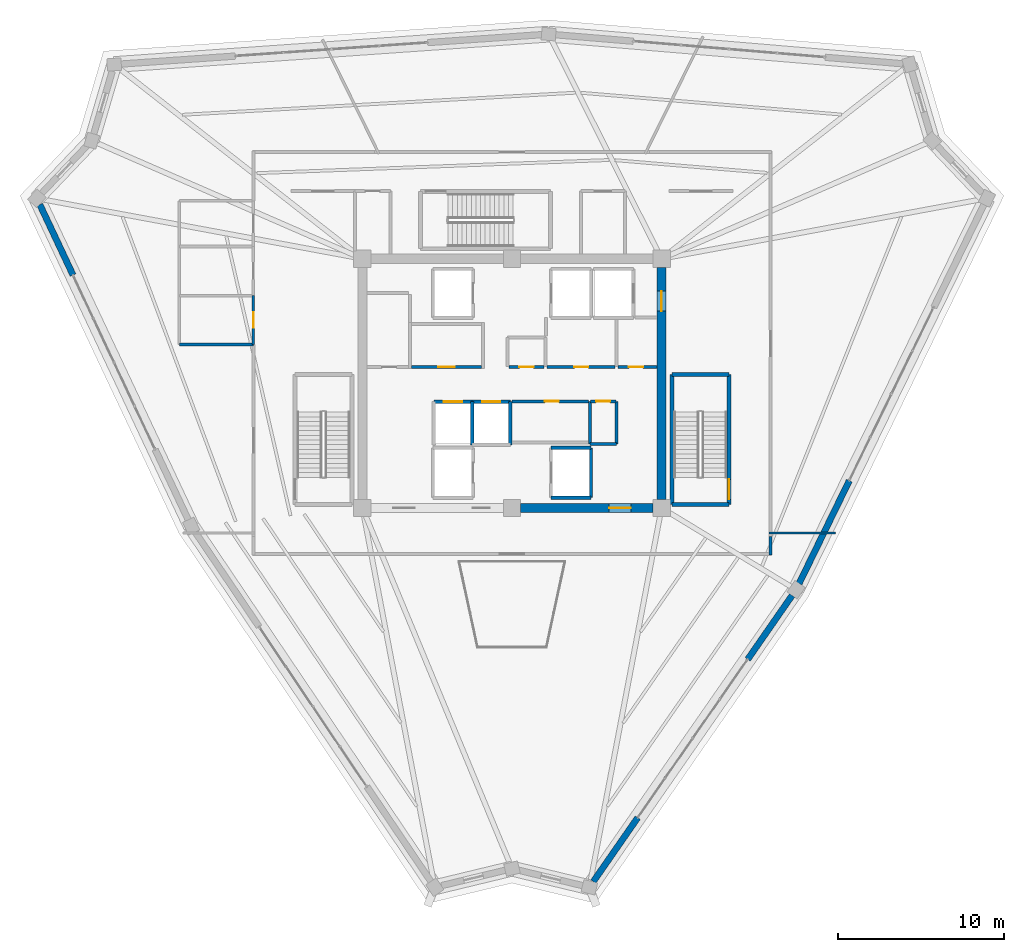
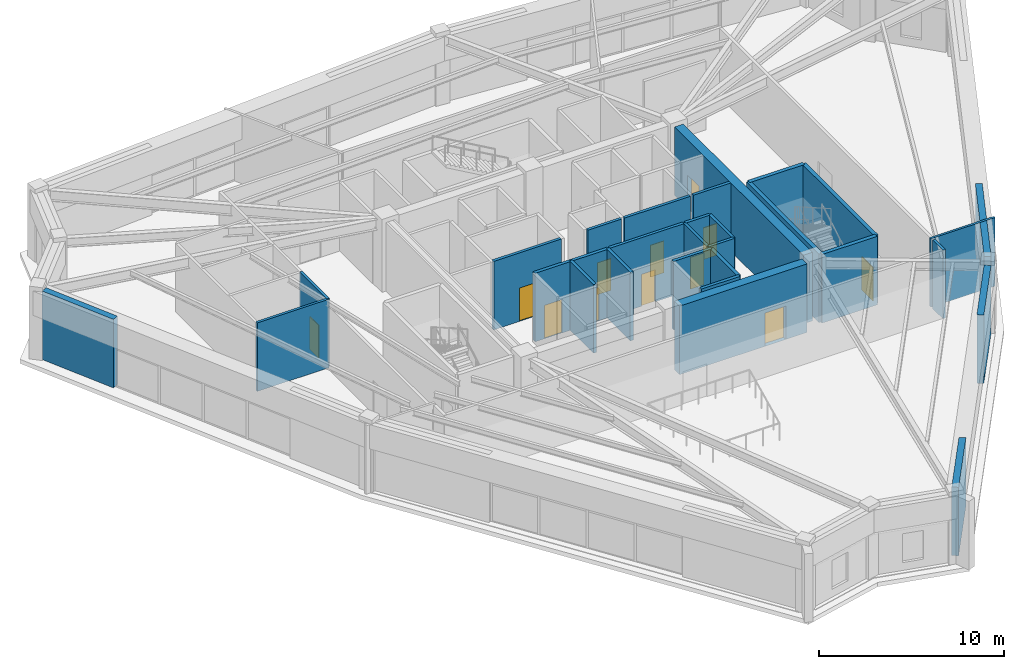
# One storey, part 34 of 40: 30 walls, 12 doors, 12 openings.
"""IFC4 building model written with IfcOpenShell, lengths in metres."""

import ifcopenshell
import ifcopenshell.guid

model = None  # the IFC model being written
_history = None  # IfcOwnerHistory: only IFC2X3 demands one
_inside = {}  # id of a spatial element -> (the spatial element, [elements in it])
_under = {}  # id of a project, library or spatial element -> (it, [spatial elements below it])
_declared = {}  # id of a project -> (the project, [libraries it declares])
_typed = {}  # id of a type object -> (the type object, [elements of that type])
_made_of = {}  # id of a material, layer set ... -> (it, [elements and type objects made of it])


def new_model(schema):
    """Start an empty IFC model of exactly this schema.

    Asked for "IFC4X3", IfcOpenShell would pick the latest addendum, in which some entities
    have other attributes; the version numbers below select the first issue.
    IFC2X3 requires an IfcOwnerHistory on every rooted entity: one is made here for all.
    """
    global model, _history
    if schema == "IFC4X3":
        model = ifcopenshell.file(schema_version=(4, 3, 0, 0))
    else:
        model = ifcopenshell.file(schema=schema)
    _inside.clear()
    _under.clear()
    _declared.clear()
    _typed.clear()
    _made_of.clear()
    _history = None
    if model.schema == "IFC2X3":
        org = make("IfcOrganization", Name="unknown")
        user = make(
            "IfcPersonAndOrganization",
            ThePerson=make("IfcPerson", FamilyName="unknown"),
            TheOrganization=org,
        )
        app = make(
            "IfcApplication",
            ApplicationDeveloper=org,
            Version="unknown",
            ApplicationFullName="unknown",
            ApplicationIdentifier="unknown",
        )
        _history = make(
            "IfcOwnerHistory",
            OwningUser=user,
            OwningApplication=app,
            ChangeAction="ADDED",
            CreationDate=0,
        )
    return model


def make(cls, **values):
    """One entity of the class cls with the attributes given. An attribute that is None is left unset."""
    return model.create_entity(
        cls, **{name: value for name, value in values.items() if value is not None}
    )


def rooted(cls, **values):
    """An entity with a GlobalId (a new one), such as an element, a storey or a relation."""
    return make(cls, GlobalId=ifcopenshell.guid.new(), OwnerHistory=_history, **values)


def si_unit(unit_type, name, prefix=None):
    """IfcSIUnit, for example si_unit("LENGTHUNIT", "METRE", prefix="MILLI")."""
    return make("IfcSIUnit", UnitType=unit_type, Prefix=prefix, Name=name)


def assignment(units):
    """IfcUnitAssignment: the units of a project."""
    return None if units is None else make("IfcUnitAssignment", Units=units)


def point(xyz):
    """IfcCartesianPoint."""
    return None if xyz is None else make("IfcCartesianPoint", Coordinates=xyz)


def direction(xyz):
    """IfcDirection."""
    return None if xyz is None else make("IfcDirection", DirectionRatios=xyz)


def frame(location, z_axis=None, x_axis=None):
    """IfcAxis2Placement3D, a coordinate frame: its origin and axes. An axis left out is left unset."""
    return make(
        "IfcAxis2Placement3D",
        Location=point(location),
        Axis=direction(z_axis),
        RefDirection=direction(x_axis),
    )


def frame_2d(location, x_axis=None):
    """IfcAxis2Placement2D, a coordinate frame in the plane: its origin and x axis."""
    return make(
        "IfcAxis2Placement2D", Location=point(location), RefDirection=direction(x_axis)
    )


def origin():
    """The frame at (0, 0, 0) with its axes left unset."""
    return frame((0.0, 0.0, 0.0))


def place(relative_to, where):
    """IfcLocalPlacement: puts the frame where relative to a parent placement (None: the world)."""
    return make(
        "IfcLocalPlacement", PlacementRelTo=relative_to, RelativePlacement=where
    )


def context(
    kind, dimensions, precision=None, world=None, true_north=None, identifier=None
):
    """IfcGeometricRepresentationContext, for example the 3D "Model" context."""
    return make(
        "IfcGeometricRepresentationContext",
        ContextIdentifier=identifier,
        ContextType=kind,
        CoordinateSpaceDimension=dimensions,
        Precision=precision,
        WorldCoordinateSystem=world,
        TrueNorth=true_north,
    )


def subcontext(parent, identifier, kind, view, scale=None):
    """IfcGeometricRepresentationSubContext, for example "Body" below "Model"."""
    return make(
        "IfcGeometricRepresentationSubContext",
        ContextIdentifier=identifier,
        ContextType=kind,
        ParentContext=parent,
        TargetScale=scale,
        TargetView=view,
    )


def project(units=None, contexts=None):
    """IfcProject with its units and contexts."""
    return rooted(
        "IfcProject",
        Name="project",
        RepresentationContexts=contexts,
        UnitsInContext=assignment(units),
    )


def spatial(cls, under=None, at=None, **own):
    """A site, building, storey or space (cls), placed at a placement, below another one or the project."""
    s = rooted(cls, ObjectPlacement=at, **own)
    if under is not None:
        _under.setdefault(under.id(), (under, []))[1].append(s)
    return s


def profile(cls, at=None, kind="AREA", **sizes):
    """A parametric profile (cls). Its sizes go by their IFC names, for example OverallWidth=200.0."""
    return make(cls, ProfileType=kind, Position=at, **sizes)


def rectangle(**sizes):
    """IfcRectangleProfileDef."""
    return profile("IfcRectangleProfileDef", **sizes)


def extrude(swept, where, along, depth):
    """IfcExtrudedAreaSolid: the profile swept, set in the frame where, extruded along a direction by depth."""
    return make(
        "IfcExtrudedAreaSolid",
        SweptArea=swept,
        Position=where,
        ExtrudedDirection=direction(along),
        Depth=depth,
    )


def shape(context_of_items, identifier, shape_type, items):
    """IfcShapeRepresentation: the items that make up one representation, for example the "Body"."""
    return make(
        "IfcShapeRepresentation",
        ContextOfItems=context_of_items,
        RepresentationIdentifier=identifier,
        RepresentationType=shape_type,
        Items=items,
    )


def source(mapping_origin, context_of_items, identifier, shape_type, items):
    """IfcRepresentationMap: a shape defined once, which mapped items show again and again."""
    return make(
        "IfcRepresentationMap",
        MappingOrigin=mapping_origin,
        MappedRepresentation=shape(context_of_items, identifier, shape_type, items),
    )


def transform(
    local_origin,
    x_axis=None,
    y_axis=None,
    z_axis=None,
    scale=None,
    scale2=None,
    scale3=None,
    uniform=True,
):
    """IfcCartesianTransformationOperator3D, or its non-uniform kind. x_axis, y_axis, z_axis: its Axis1, 2, 3."""
    if uniform:
        return make(
            "IfcCartesianTransformationOperator3D",
            Axis1=direction(x_axis),
            Axis2=direction(y_axis),
            LocalOrigin=point(local_origin),
            Scale=scale,
            Axis3=direction(z_axis),
        )
    return make(
        "IfcCartesianTransformationOperator3DnonUniform",
        Axis1=direction(x_axis),
        Axis2=direction(y_axis),
        LocalOrigin=point(local_origin),
        Scale=scale,
        Axis3=direction(z_axis),
        Scale2=scale2,
        Scale3=scale3,
    )


def mapped(mapping_source, mapping_target):
    """IfcMappedItem: shows the shape of a source again, moved by a transform."""
    return make(
        "IfcMappedItem", MappingSource=mapping_source, MappingTarget=mapping_target
    )


def material(Name=None, Category=None):
    """IfcMaterial."""
    return make("IfcMaterial", Name=Name, Category=Category)


def layer(
    of_material, thickness, ventilated=None, Name=None, Category=None, Priority=None
):
    """IfcMaterialLayer: one layer of a wall or slab, of a material (None: an air gap)."""
    return make(
        "IfcMaterialLayer",
        Material=of_material,
        LayerThickness=thickness,
        IsVentilated=ventilated,
        Name=Name,
        Category=Category,
        Priority=Priority,
    )


def layer_set(layers, Name=None):
    """IfcMaterialLayerSet."""
    return make("IfcMaterialLayerSet", MaterialLayers=layers, LayerSetName=Name)


def made_of(thing, what):
    """Note that an element or type object is made of a material, layer set ...; save() writes the relation."""
    if what is not None:
        _made_of.setdefault(what.id(), (what, []))[1].append(thing)
    return thing


def type_object(cls, material=None, **own):
    """A type object (cls), such as IfcWallType, which elements share."""
    return made_of(rooted(cls, **own), material)


def element(
    cls,
    number,
    at=None,
    inside=None,
    cuts=None,
    type_object=None,
    material=None,
    context=None,
    identifier="Body",
    shape_type=None,
    held_by="IfcProductDefinitionShape",
    body=None,
    shapes=None,
    **own,
):
    """One element of the class cls, such as IfcWall. Its Tag is "e" and its number.

    at: its placement. inside: the storey or other place that contains it. cuts: it is an
    opening in that element (IfcRelVoidsElement). A single representation is given by context,
    identifier, shape_type and body (its items); several are given by shapes. held_by: the class
    of the entity that holds the representations. save() writes the other relations.
    """
    e = rooted(cls, Tag="e%d" % number, ObjectPlacement=at, **own)
    if body is not None:
        shapes = [shape(context, identifier, shape_type, body)]
    if shapes is not None:
        e.Representation = make(held_by, Representations=shapes)
    if inside is not None:
        _inside.setdefault(inside.id(), (inside, []))[1].append(e)
    if cuts is not None:
        rooted(
            "IfcRelVoidsElement", RelatingBuildingElement=cuts, RelatedOpeningElement=e
        )
    if type_object is not None:
        _typed.setdefault(type_object.id(), (type_object, []))[1].append(e)
    return made_of(e, material)


def fill(opening, filler):
    """IfcRelFillsElement: the door or window that sits in an opening."""
    return rooted(
        "IfcRelFillsElement",
        RelatingOpeningElement=opening,
        RelatedBuildingElement=filler,
    )


def aggregate(whole, parts):
    """IfcRelAggregates: a whole, such as a stair, and the parts it consists of."""
    return rooted("IfcRelAggregates", RelatingObject=whole, RelatedObjects=parts)


def save(model, path):
    """Write the relations noted so far, then the file.

    IfcRelAggregates (storeys below a building ...), IfcRelContainedInSpatialStructure (elements
    in a storey), IfcRelDefinesByType, IfcRelAssociatesMaterial and IfcRelDeclares: one each for
    every whole, place, type object, material and project.
    """
    for whole, parts in _under.values():
        aggregate(whole, parts)
    for where, things in _inside.values():
        rooted(
            "IfcRelContainedInSpatialStructure",
            RelatedElements=things,
            RelatingStructure=where,
        )
    for kind, things in _typed.values():
        rooted("IfcRelDefinesByType", RelatedObjects=things, RelatingType=kind)
    for what, things in _made_of.values():
        rooted("IfcRelAssociatesMaterial", RelatedObjects=things, RelatingMaterial=what)
    for by, libraries in _declared.values():
        rooted("IfcRelDeclares", RelatingContext=by, RelatedDefinitions=libraries)
    model.write(path)


model = new_model("IFC4")

# Units and contexts
model_context = context("Model", 3, precision=1e-05, world=origin(), true_north=direction((0.0, 1.0)))
body_context = subcontext(model_context, "Body", "Model", "MODEL_VIEW")
ifc_project = project(units=[si_unit("LENGTHUNIT", "METRE"), si_unit("AREAUNIT", "SQUARE_METRE"), si_unit("VOLUMEUNIT", "CUBIC_METRE"), si_unit("PLANEANGLEUNIT", "RADIAN"), si_unit("MASSUNIT", "GRAM", prefix="KILO")], contexts=[model_context])

# Site, building, storey
site_placement = place(None, origin())
site = spatial("IfcSite", under=ifc_project, at=site_placement, CompositionType="ELEMENT")
building_placement = place(site_placement, origin())
building = spatial("IfcBuilding", under=site, at=building_placement, Name="Liaohun Quay Tower", CompositionType="ELEMENT")
storey_placement = place(building_placement, frame((0.0, 0.0, 351.0)))
storey = spatial("IfcBuildingStorey", under=building, at=storey_placement, Name="L91", CompositionType="ELEMENT", Elevation=351.0)

# Wall, opening, door
ifc_material_1 = material(Name="Concrete C50", Category="concrete")
ifc_layer_1 = layer(ifc_material_1, 0.550048828125, Name="Concrete C50", Category="concrete")
ifc_layer_set_1 = layer_set([ifc_layer_1], Name="Concrete C50")
wall_type_1 = type_object("IfcWallType", Name="WAL-COR-Z4", PredefinedType="SHEAR", material=ifc_layer_set_1)
wall_1_placement = place(storey_placement, frame((69.0, 60.97509765625, 0.0), z_axis=(0.0, 0.0, 1.0), x_axis=(0.0, -1.0, 0.0)))
wall_1 = element("IfcWall", 1, at=wall_1_placement, inside=storey, type_object=wall_type_1, Name="L91 Central Core Shear Wall E", PredefinedType="SHEAR", context=body_context, shape_type="SweptSolid", body=[
    extrude(rectangle(XDim=13.9501953125, YDim=0.550048828125, at=frame_2d((6.97509765625, 0.0))), origin(), (0.0, 0.0, 1.0), 4.52001953125),
])
shared_shape_1 = source(origin(), body_context, "Body", "SweptSolid", [
    extrude(rectangle(XDim=1.199951171875, YDim=2.199951171875, at=frame_2d((0.60009765625, 1.10009765625))), frame((0.0, 0.284912109375, 0.0), z_axis=(0.0, -1.0, 0.0), x_axis=(1.0, 0.0, 0.0)), (0.0, 0.0, 1.0), 0.570068359375),
])
opening_1_placement = place(wall_1_placement, frame((1.425048828125, 0.0, 0.0)))
opening_1 = element("IfcOpeningElement", 2, at=opening_1_placement, cuts=wall_1, Name="Opening SD1", PredefinedType="OPENING", context=body_context, shape_type="MappedRepresentation", body=[
    mapped(shared_shape_1, transform((0.0, 0.0, 0.0), x_axis=(1.0, 0.0, 0.0), y_axis=(0.0, 1.0, 0.0), z_axis=(0.0, 0.0, 1.0), scale=1.0)),
])
ifc_material_2 = material(Name="Galvanised steel fire door", Category="steel")
door_type_1 = type_object("IfcDoorType", Name="DOR-STR-1200", OperationType="NOTDEFINED", PredefinedType="DOOR", material=ifc_material_2)
shared_shape_2 = source(origin(), body_context, "Body", "SweptSolid", [
    extrude(rectangle(XDim=1.199951171875, YDim=2.199951171875, at=frame_2d((0.60009765625, 1.10009765625))), frame((0.0, 0.02490234375, 0.0), z_axis=(0.0, -1.0, 0.0), x_axis=(1.0, 0.0, 0.0)), (0.0, 0.0, 1.0), 0.050048828125),
])
door_1_placement = place(opening_1_placement, origin())
door_1 = element("IfcDoor", 3, at=door_1_placement, inside=storey, type_object=door_type_1, Name="L91 North-East Core Lobby Smokeproof Door", OperationType="SINGLE_SWING_LEFT", OverallHeight=2.199951171875, OverallWidth=1.199951171875, PredefinedType="DOOR", context=body_context, shape_type="MappedRepresentation", body=[
    mapped(shared_shape_2, transform((0.0, 0.0, 0.0), x_axis=(1.0, 0.0, 0.0), y_axis=(0.0, 1.0, 0.0), z_axis=(0.0, 0.0, 1.0), scale=1.0)),
])
fill(opening_1, door_1)

wall_2_placement = place(storey_placement, frame((68.47509765625, 46.5, 0.0), z_axis=(0.0, 0.0, 1.0), x_axis=(-1.0, 0.0, 0.0)))
wall_2 = element("IfcWall", 4, at=wall_2_placement, inside=storey, type_object=wall_type_1, Name="L91 Central Core Shear Wall S-E", PredefinedType="SHEAR", context=body_context, shape_type="SweptSolid", body=[
    extrude(rectangle(XDim=7.9501953125, YDim=0.550048828125, at=frame_2d((3.97509765625, 0.0))), origin(), (0.0, 0.0, 1.0), 4.52001953125),
])
shared_shape_3 = source(origin(), body_context, "Body", "SweptSolid", [
    extrude(rectangle(XDim=1.300048828125, YDim=2.199951171875, at=frame_2d((0.64990234375, 1.10009765625))), frame((0.0, 0.284912109375, 0.0), z_axis=(0.0, -1.0, 0.0), x_axis=(1.0, 0.0, 0.0)), (0.0, 0.0, 1.0), 0.570068359375),
])
opening_2_placement = place(wall_2_placement, frame((1.324951171875, 0.0, 0.0)))
opening_2 = element("IfcOpeningElement", 5, at=opening_2_placement, cuts=wall_2, Name="Opening FD1", PredefinedType="OPENING", context=body_context, shape_type="MappedRepresentation", body=[
    mapped(shared_shape_3, transform((0.0, 0.0, 0.0), x_axis=(1.0, 0.0, 0.0), y_axis=(0.0, 1.0, 0.0), z_axis=(0.0, 0.0, 1.0), scale=1.0)),
])
ifc_material_3 = material(Name="Galvanised steel smokeproof fire door", Category="steel")
door_type_2 = type_object("IfcDoorType", Name="DOR-FFL-1300", OperationType="NOTDEFINED", PredefinedType="DOOR", material=ifc_material_3)
shared_shape_4 = source(origin(), body_context, "Body", "SweptSolid", [
    extrude(rectangle(XDim=1.300048828125, YDim=2.199951171875, at=frame_2d((0.64990234375, 1.10009765625))), frame((0.0, 0.02490234375, 0.0), z_axis=(0.0, -1.0, 0.0), x_axis=(1.0, 0.0, 0.0)), (0.0, 0.0, 1.0), 0.050048828125),
])
door_2_placement = place(opening_2_placement, origin())
door_2 = element("IfcDoor", 6, at=door_2_placement, inside=storey, type_object=door_type_2, Name="L91 East Core Lift Lobby Smokeproof Door", OperationType="SINGLE_SWING_LEFT", OverallHeight=2.199951171875, OverallWidth=1.300048828125, PredefinedType="DOOR", context=body_context, shape_type="MappedRepresentation", body=[
    mapped(shared_shape_4, transform((0.0, 0.0, 0.0), x_axis=(1.0, 0.0, 0.0), y_axis=(0.0, 1.0, 0.0), z_axis=(0.0, 0.0, 1.0), scale=1.0)),
])
fill(opening_2, door_2)

# Walls
ifc_material_4 = material(Name="Precast concrete C50 insulated sandwich", Category="concrete")
ifc_layer_2 = layer(ifc_material_4, 0.3798828125, Name="Precast concrete C50 insulated sandwich", Category="concrete")
ifc_layer_set_2 = layer_set([ifc_layer_2], Name="Precast concrete C50 insulated sandwich")
wall_type_2 = type_object("IfcWallType", Name="WAL-EXT-Z34", PredefinedType="SOLIDWALL", material=ifc_layer_set_2)
for number, where, z_axis, x_axis, name in (
    (7, (64.89208984375, 24.01708984375, 0.0), (0.0, 0.0, 1.0), (0.570539311597, 0.821270292853, 0.0), "L91 Belvedere Flank Pier Wall 02L"),
    (8, (74.18408203125, 37.39208984375, 0.0), (0.0, 0.0, 1.0), (0.570539311597, 0.821270292853, 0.0), "L91 Belvedere Flank Pier Wall 02R"),
):
    element("IfcWall", number, at=place(storey_placement, frame(where, z_axis=z_axis, x_axis=x_axis)), inside=storey, type_object=wall_type_2, Name=name, PredefinedType="SOLIDWALL", context=body_context, shape_type="SweptSolid", body=[
        extrude(rectangle(XDim=4.6865234375, YDim=0.3798828125, at=frame_2d((2.34326171875, 0.0))), origin(), (0.0, 0.0, 1.0), 4.52001953125),
    ])
wall_3_placement = place(storey_placement, frame((77.277099609375, 41.955078125, 0.0), z_axis=(0.0, 0.0, 1.0), x_axis=(0.438430615023, 0.898765039268, 0.0)))
element("IfcWall", 9, at=wall_3_placement, inside=storey, type_object=wall_type_2, Name="L91 Belvedere Flank Pier Wall 03L", PredefinedType="SOLIDWALL", context=body_context, shape_type="SweptSolid", body=[
    extrude(rectangle(XDim=6.88818359375, YDim=0.3798828125, at=frame_2d((3.444091796875, 0.0))), origin(), (0.0, 0.0, 1.0), 4.52001953125),
])
wall_4_placement = place(storey_placement, frame((31.587890625, 64.756103515625, 0.0), z_axis=(0.0, 0.0, 1.0), x_axis=(0.425937528266, -0.904752575025, 0.0)))
element("IfcWall", 10, at=wall_4_placement, inside=storey, type_object=wall_type_2, Name="L91 Belvedere Flank Pier Wall 10L", PredefinedType="SOLIDWALL", context=body_context, shape_type="SweptSolid", body=[
    extrude(rectangle(XDim=4.686279296875, YDim=0.3798828125, at=frame_2d((2.34326171875, 0.0))), origin(), (0.0, 0.0, 1.0), 4.52001953125),
])

# Wall, opening, door
ifc_material_5 = material(Name="Autoclaved aerated concrete blockwork", Category="masonry")
ifc_layer_3 = layer(ifc_material_5, 0.179931640625, Name="Autoclaved aerated concrete blockwork", Category="masonry")
ifc_layer_set_3 = layer_set([ifc_layer_3], Name="Autoclaved aerated concrete blockwork")
wall_type_3 = type_object("IfcWallType", Name="WAL-PRT-COR", PredefinedType="PARTITIONING", material=ifc_layer_set_3)
wall_5_placement = place(storey_placement, frame((60.0, 52.919921875, 0.0), z_axis=(0.0, 0.0, 1.0), x_axis=(1.0, 0.0, 0.0)))
wall_5 = element("IfcWall", 11, at=wall_5_placement, inside=storey, type_object=wall_type_3, Name="L91 Interior Partition Wall 001", PredefinedType="PARTITIONING", context=body_context, shape_type="SweptSolid", body=[
    extrude(rectangle(XDim=4.60009765625, YDim=0.179931640625, at=frame_2d((2.300048828125, 0.0))), origin(), (0.0, 0.0, 1.0), 4.52001953125),
])
shared_shape_5 = source(origin(), body_context, "Body", "SweptSolid", [
    extrude(rectangle(XDim=0.85009765625, YDim=2.10009765625, at=frame_2d((0.425048828125, 1.050048828125))), frame((0.0, 0.099853515625, 0.0), z_axis=(0.0, -1.0, 0.0), x_axis=(1.0, 0.0, 0.0)), (0.0, 0.0, 1.0), 0.199951171875),
])
opening_3_placement = place(wall_5_placement, frame((1.97509765625, 0.0, 0.0)))
opening_3 = element("IfcOpeningElement", 12, at=opening_3_placement, cuts=wall_5, Name="Opening AD1", PredefinedType="OPENING", context=body_context, shape_type="MappedRepresentation", body=[
    mapped(shared_shape_5, transform((0.0, 0.0, 0.0), x_axis=(1.0, 0.0, 0.0), y_axis=(0.0, 1.0, 0.0), z_axis=(0.0, 0.0, 1.0), scale=1.0)),
])
ifc_material_6 = material(Name="Steel riser inspection fire door", Category="steel")
door_type_3 = type_object("IfcDoorType", Name="DOR-SHF-850", OperationType="NOTDEFINED", PredefinedType="DOOR", material=ifc_material_6)
shared_shape_6 = source(origin(), body_context, "Body", "SweptSolid", [
    extrude(rectangle(XDim=0.85009765625, YDim=2.10009765625, at=frame_2d((0.425048828125, 1.050048828125))), frame((0.0, 0.02490234375, 0.0), z_axis=(0.0, -1.0, 0.0), x_axis=(1.0, 0.0, 0.0)), (0.0, 0.0, 1.0), 0.050048828125),
])
door_3_placement = place(opening_3_placement, origin())
door_3 = element("IfcDoor", 13, at=door_3_placement, inside=storey, type_object=door_type_3, Name="L91 Core High-Zone BMS and Switch Room Door", OperationType="SINGLE_SWING_LEFT", OverallHeight=2.10009765625, OverallWidth=0.85009765625, PredefinedType="DOOR", context=body_context, shape_type="MappedRepresentation", body=[
    mapped(shared_shape_6, transform((0.0, 0.0, 0.0), x_axis=(1.0, 0.0, 0.0), y_axis=(0.0, 1.0, 0.0), z_axis=(0.0, 0.0, 1.0), scale=1.0)),
])
fill(opening_3, door_3)

wall_6_placement = place(storey_placement, frame((53.93994140625, 54.97998046875, 0.0), z_axis=(0.0, 0.0, 1.0), x_axis=(1.0, 0.0, 0.0)))
wall_6 = element("IfcWall", 14, at=wall_6_placement, inside=storey, type_object=wall_type_3, Name="L91 Interior Partition Wall 002", PredefinedType="PARTITIONING", context=body_context, shape_type="SweptSolid", body=[
    extrude(rectangle(XDim=4.219970703125, YDim=0.179931640625, at=frame_2d((2.10986328125, 0.0))), origin(), (0.0, 0.0, 1.0), 4.52001953125),
])
shared_shape_7 = source(origin(), body_context, "Body", "SweptSolid", [
    extrude(rectangle(XDim=1.0, YDim=2.199951171875, at=frame_2d((0.5, 1.10009765625))), frame((0.0, 0.099853515625, 0.0), z_axis=(0.0, -1.0, 0.0), x_axis=(1.0, 0.0, 0.0)), (0.0, 0.0, 1.0), 0.199951171875),
])
opening_4_placement = place(wall_6_placement, frame((1.610107421875, 0.0, 0.0)))
opening_4 = element("IfcOpeningElement", 15, at=opening_4_placement, cuts=wall_6, Name="Opening OD1", PredefinedType="OPENING", context=body_context, shape_type="MappedRepresentation", body=[
    mapped(shared_shape_7, transform((0.0, 0.0, 0.0), x_axis=(1.0, 0.0, 0.0), y_axis=(0.0, 1.0, 0.0), z_axis=(0.0, 0.0, 1.0), scale=1.0)),
])
ifc_material_7 = material(Name="Solid-core oak veneer timber leaf in steel frame", Category="steel")
door_type_4 = type_object("IfcDoorType", Name="DOR-OFF-1000", OperationType="NOTDEFINED", PredefinedType="DOOR", material=ifc_material_7)
shared_shape_8 = source(origin(), body_context, "Body", "SweptSolid", [
    extrude(rectangle(XDim=1.0, YDim=2.199951171875, at=frame_2d((0.5, 1.10009765625))), frame((0.0, 0.02490234375, 0.0), z_axis=(0.0, -1.0, 0.0), x_axis=(1.0, 0.0, 0.0)), (0.0, 0.0, 1.0), 0.050048828125),
])
door_4_placement = place(opening_4_placement, origin())
door_4 = element("IfcDoor", 16, at=door_4_placement, inside=storey, type_object=door_type_4, Name="L91 Core Staff Pantry and Tea Room Door", OperationType="SINGLE_SWING_RIGHT", OverallHeight=2.199951171875, OverallWidth=1.0, PredefinedType="DOOR", context=body_context, shape_type="MappedRepresentation", body=[
    mapped(shared_shape_8, transform((0.0, 0.0, 0.0), x_axis=(1.0, 0.0, 0.0), y_axis=(0.0, 1.0, 0.0), z_axis=(0.0, 0.0, 1.0), scale=1.0)),
])
fill(opening_4, door_4)

wall_7_placement = place(storey_placement, frame((62.10009765625, 54.97998046875, 0.0), z_axis=(0.0, 0.0, 1.0), x_axis=(1.0, 0.0, 0.0)))
wall_7 = element("IfcWall", 17, at=wall_7_placement, inside=storey, type_object=wall_type_3, Name="L91 Interior Partition Wall 004", PredefinedType="PARTITIONING", context=body_context, shape_type="SweptSolid", body=[
    extrude(rectangle(XDim=4.10986328125, YDim=0.179931640625, at=frame_2d((2.054931640625, 0.0))), origin(), (0.0, 0.0, 1.0), 4.52001953125),
])
opening_5_placement = place(wall_7_placement, frame((1.64990234375, 0.0, 0.0)))
opening_5 = element("IfcOpeningElement", 18, at=opening_5_placement, cuts=wall_7, Name="Opening AD1", PredefinedType="OPENING", context=body_context, shape_type="MappedRepresentation", body=[
    mapped(shared_shape_5, transform((0.0, 0.0, 0.0), x_axis=(1.0, 0.0, 0.0), y_axis=(0.0, 1.0, 0.0), z_axis=(0.0, 0.0, 1.0), scale=1.0)),
])
door_5_placement = place(opening_5_placement, origin())
door_5 = element("IfcDoor", 19, at=door_5_placement, inside=storey, type_object=door_type_3, Name="L91 Core Metering Closet Door", OperationType="SINGLE_SWING_RIGHT", OverallHeight=2.10009765625, OverallWidth=0.85009765625, PredefinedType="DOOR", context=body_context, shape_type="MappedRepresentation", body=[
    mapped(shared_shape_6, transform((0.0, 0.0, 0.0), x_axis=(1.0, 0.0, 0.0), y_axis=(0.0, 1.0, 0.0), z_axis=(0.0, 0.0, 1.0), scale=1.0)),
])
fill(opening_5, door_5)

wall_8_placement = place(storey_placement, frame((66.389892578125, 54.97998046875, 0.0), z_axis=(0.0, 0.0, 1.0), x_axis=(1.0, 0.0, 0.0)))
wall_8 = element("IfcWall", 20, at=wall_8_placement, inside=storey, type_object=wall_type_3, Name="L91 Interior Partition Wall 005", PredefinedType="PARTITIONING", context=body_context, shape_type="SweptSolid", body=[
    extrude(rectangle(XDim=2.335205078125, YDim=0.179931640625, at=frame_2d((1.16748046875, 0.0))), origin(), (0.0, 0.0, 1.0), 4.52001953125),
])
opening_6_placement = place(wall_8_placement, frame((0.64990234375, 0.0, 0.0)))
opening_6 = element("IfcOpeningElement", 21, at=opening_6_placement, cuts=wall_8, Name="Opening AD1", PredefinedType="OPENING", context=body_context, shape_type="MappedRepresentation", body=[
    mapped(shared_shape_5, transform((0.0, 0.0, 0.0), x_axis=(1.0, 0.0, 0.0), y_axis=(0.0, 1.0, 0.0), z_axis=(0.0, 0.0, 1.0), scale=1.0)),
])
door_6_placement = place(opening_6_placement, origin())
door_6 = element("IfcDoor", 22, at=door_6_placement, inside=storey, type_object=door_type_3, Name="L91 Core Janitor Store Door", OperationType="SINGLE_SWING_LEFT", OverallHeight=2.10009765625, OverallWidth=0.85009765625, PredefinedType="DOOR", context=body_context, shape_type="MappedRepresentation", body=[
    mapped(shared_shape_6, transform((0.0, 0.0, 0.0), x_axis=(1.0, 0.0, 0.0), y_axis=(0.0, 1.0, 0.0), z_axis=(0.0, 0.0, 1.0), scale=1.0)),
])
fill(opening_6, door_6)

wall_9_placement = place(storey_placement, frame((59.81005859375, 54.97998046875, 0.0), z_axis=(0.0, 0.0, 1.0), x_axis=(1.0, 0.0, 0.0)))
wall_9 = element("IfcWall", 23, at=wall_9_placement, inside=storey, type_object=wall_type_3, Name="L91 Interior Partition Wall 006", PredefinedType="PARTITIONING", context=body_context, shape_type="SweptSolid", body=[
    extrude(rectangle(XDim=2.10986328125, YDim=0.179931640625, at=frame_2d((1.054931640625, 0.0))), origin(), (0.0, 0.0, 1.0), 4.52001953125),
])
opening_7_placement = place(wall_9_placement, frame((0.635009765625, 0.0, 0.0)))
opening_7 = element("IfcOpeningElement", 24, at=opening_7_placement, cuts=wall_9, Name="Opening AD1", PredefinedType="OPENING", context=body_context, shape_type="MappedRepresentation", body=[
    mapped(shared_shape_5, transform((0.0, 0.0, 0.0), x_axis=(1.0, 0.0, 0.0), y_axis=(0.0, 1.0, 0.0), z_axis=(0.0, 0.0, 1.0), scale=1.0)),
])
door_7_placement = place(opening_7_placement, origin())
door_7 = element("IfcDoor", 25, at=door_7_placement, inside=storey, type_object=door_type_3, Name="L91 Electrical Meter Room Door", OperationType="SINGLE_SWING_RIGHT", OverallHeight=2.10009765625, OverallWidth=0.85009765625, PredefinedType="DOOR", context=body_context, shape_type="MappedRepresentation", body=[
    mapped(shared_shape_6, transform((0.0, 0.0, 0.0), x_axis=(1.0, 0.0, 0.0), y_axis=(0.0, 1.0, 0.0), z_axis=(0.0, 0.0, 1.0), scale=1.0)),
])
fill(opening_7, door_7)

wall_10_placement = place(storey_placement, frame((64.719970703125, 52.919921875, 0.0), z_axis=(0.0, 0.0, 1.0), x_axis=(1.0, 0.0, 0.0)))
wall_10 = element("IfcWall", 26, at=wall_10_placement, inside=storey, type_object=wall_type_3, Name="L91 Interior Partition Wall 007", PredefinedType="PARTITIONING", context=body_context, shape_type="SweptSolid", body=[
    extrude(rectangle(XDim=1.530029296875, YDim=0.179931640625, at=frame_2d((0.76513671875, 0.0))), origin(), (0.0, 0.0, 1.0), 4.52001953125),
])
opening_8_placement = place(wall_10_placement, frame((0.340087890625, 0.0, 0.0)))
opening_8 = element("IfcOpeningElement", 27, at=opening_8_placement, cuts=wall_10, Name="Opening AD1", PredefinedType="OPENING", context=body_context, shape_type="MappedRepresentation", body=[
    mapped(shared_shape_5, transform((0.0, 0.0, 0.0), x_axis=(1.0, 0.0, 0.0), y_axis=(0.0, 1.0, 0.0), z_axis=(0.0, 0.0, 1.0), scale=1.0)),
])
door_8_placement = place(opening_8_placement, origin())
door_8 = element("IfcDoor", 28, at=door_8_placement, inside=storey, type_object=door_type_3, Name="L91 BMS Data Riser Room Door", OperationType="SINGLE_SWING_LEFT", OverallHeight=2.10009765625, OverallWidth=0.85009765625, PredefinedType="DOOR", context=body_context, shape_type="MappedRepresentation", body=[
    mapped(shared_shape_6, transform((0.0, 0.0, 0.0), x_axis=(1.0, 0.0, 0.0), y_axis=(0.0, 1.0, 0.0), z_axis=(0.0, 0.0, 1.0), scale=1.0)),
])
fill(opening_8, door_8)

# Walls
wall_11_placement = place(storey_placement, frame((64.68994140625, 50.35009765625, 0.0), z_axis=(0.0, 0.0, 1.0), x_axis=(0.0, 1.0, 0.0)))
element("IfcWall", 29, at=wall_11_placement, inside=storey, type_object=wall_type_3, Name="L91 Interior Partition Wall 024", PredefinedType="PARTITIONING", context=body_context, shape_type="SweptSolid", body=[
    extrude(rectangle(XDim=2.56982421875, YDim=0.179931640625, at=frame_2d((1.284912109375, 0.0))), origin(), (0.0, 0.0, 1.0), 4.52001953125),
])
wall_12_placement = place(storey_placement, frame((64.68994140625, 50.35009765625, 0.0), z_axis=(0.0, 0.0, 1.0), x_axis=(1.0, 0.0, 0.0)))
element("IfcWall", 30, at=wall_12_placement, inside=storey, type_object=wall_type_3, Name="L91 Interior Partition Wall 025", PredefinedType="PARTITIONING", context=body_context, shape_type="SweptSolid", body=[
    extrude(rectangle(XDim=1.590087890625, YDim=0.179931640625, at=frame_2d((0.794921875, 0.0))), origin(), (0.0, 0.0, 1.0), 4.52001953125),
])
wall_13_placement = place(storey_placement, frame((66.280029296875, 50.35009765625, 0.0), z_axis=(0.0, 0.0, 1.0), x_axis=(0.0, 1.0, 0.0)))
element("IfcWall", 31, at=wall_13_placement, inside=storey, type_object=wall_type_3, Name="L91 Interior Partition Wall 026", PredefinedType="PARTITIONING", context=body_context, shape_type="SweptSolid", body=[
    extrude(rectangle(XDim=2.56982421875, YDim=0.179931640625, at=frame_2d((1.284912109375, 0.0))), origin(), (0.0, 0.0, 1.0), 4.52001953125),
])
wall_14_placement = place(storey_placement, frame((75.56005859375, 44.784912109375, 0.0), z_axis=(0.0, 0.0, 1.0), x_axis=(0.0, -1.0, 0.0)))
element("IfcWall", 32, at=wall_14_placement, inside=storey, type_object=wall_type_3, Name="L91 Interior Partition Wall 040", PredefinedType="PARTITIONING", context=body_context, shape_type="SweptSolid", body=[
    extrude(rectangle(XDim=1.114990234375, YDim=0.179931640625, at=frame_2d((0.5576171875, 0.0))), origin(), (0.0, 0.0, 1.0), 4.52001953125),
])
ifc_material_8 = material(Name="Gypsum board on twin steel studs", Category="steel")
ifc_layer_4 = layer(ifc_material_8, 0.139892578125, Name="Gypsum board on twin steel studs", Category="steel")
ifc_layer_set_4 = layer_set([ifc_layer_4], Name="Gypsum board on twin steel studs")
wall_type_4 = type_object("IfcWallType", Name="WAL-PRT-OFF", PredefinedType="PARTITIONING", material=ifc_layer_set_4)
wall_15_placement = place(storey_placement, frame((75.4599609375, 45.0, 0.0), z_axis=(0.0, 0.0, 1.0), x_axis=(1.0, 0.0, 0.0)))
element("IfcWall", 33, at=wall_15_placement, inside=storey, type_object=wall_type_4, Name="L91 Interior Partition Wall 042", PredefinedType="PARTITIONING", context=body_context, shape_type="SweptSolid", body=[
    extrude(rectangle(XDim=4.0029296875, YDim=0.139892578125, at=frame_2d((2.00146484375, 0.0))), origin(), (0.0, 0.0, 1.0), 4.52001953125),
])

# Wall, opening, door
ifc_material_9 = material(Name="Moisture-resistant masonry blockwork", Category="masonry")
ifc_layer_5 = layer(ifc_material_9, 0.159912109375, Name="Moisture-resistant masonry blockwork", Category="masonry")
ifc_layer_set_5 = layer_set([ifc_layer_5], Name="Moisture-resistant masonry blockwork")
wall_type_5 = type_object("IfcWallType", Name="WAL-PRT-WET", PredefinedType="PARTITIONING", material=ifc_layer_set_5)
wall_16_placement = place(storey_placement, frame((44.43994140625, 56.340087890625, 0.0), z_axis=(0.0, 0.0, 1.0), x_axis=(0.0, 1.0, 0.0)))
wall_16 = element("IfcWall", 34, at=wall_16_placement, inside=storey, type_object=wall_type_5, Name="L91 Interior Partition Wall 008", PredefinedType="PARTITIONING", context=body_context, shape_type="SweptSolid", body=[
    extrude(rectangle(XDim=2.93994140625, YDim=0.159912109375, at=frame_2d((1.469970703125, 0.0))), origin(), (0.0, 0.0, 1.0), 4.52001953125),
])
shared_shape_9 = source(origin(), body_context, "Body", "SweptSolid", [
    extrude(rectangle(XDim=0.949951171875, YDim=2.14990234375, at=frame_2d((0.47509765625, 1.074951171875))), frame((0.0, 0.08984375, 0.0), z_axis=(0.0, -1.0, 0.0), x_axis=(1.0, 0.0, 0.0)), (0.0, 0.0, 1.0), 0.179931640625),
])
opening_9_placement = place(wall_16_placement, frame((0.9951171875, 0.0, 0.0)))
opening_9 = element("IfcOpeningElement", 35, at=opening_9_placement, cuts=wall_16, Name="Opening WD1", PredefinedType="OPENING", context=body_context, shape_type="MappedRepresentation", body=[
    mapped(shared_shape_9, transform((0.0, 0.0, 0.0), x_axis=(1.0, 0.0, 0.0), y_axis=(0.0, 1.0, 0.0), z_axis=(0.0, 0.0, 1.0), scale=1.0)),
])
ifc_material_10 = material(Name="Moisture-resistant laminate timber leaf", Category="wood")
door_type_5 = type_object("IfcDoorType", Name="DOR-WC-950", OperationType="NOTDEFINED", PredefinedType="DOOR", material=ifc_material_10)
shared_shape_10 = source(origin(), body_context, "Body", "SweptSolid", [
    extrude(rectangle(XDim=0.949951171875, YDim=2.14990234375, at=frame_2d((0.47509765625, 1.074951171875))), frame((0.0, 0.02490234375, 0.0), z_axis=(0.0, -1.0, 0.0), x_axis=(1.0, 0.0, 0.0)), (0.0, 0.0, 1.0), 0.050048828125),
])
door_9_placement = place(opening_9_placement, origin())
door_9 = element("IfcDoor", 36, at=door_9_placement, inside=storey, type_object=door_type_5, Name="L91 Male Restroom WC Door", OperationType="SINGLE_SWING_RIGHT", OverallHeight=2.14990234375, OverallWidth=0.949951171875, PredefinedType="DOOR", context=body_context, shape_type="MappedRepresentation", body=[
    mapped(shared_shape_10, transform((0.0, 0.0, 0.0), x_axis=(1.0, 0.0, 0.0), y_axis=(0.0, 1.0, 0.0), z_axis=(0.0, 0.0, 1.0), scale=1.0)),
])
fill(opening_9, door_9)

# Walls
wall_17_placement = place(storey_placement, frame((39.97998046875, 56.340087890625, 0.0), z_axis=(0.0, 0.0, 1.0), x_axis=(1.0, 0.0, 0.0)))
element("IfcWall", 37, at=wall_17_placement, inside=storey, type_object=wall_type_5, Name="L91 Interior Partition Wall 028", PredefinedType="PARTITIONING", context=body_context, shape_type="SweptSolid", body=[
    extrude(rectangle(XDim=4.4599609375, YDim=0.159912109375, at=frame_2d((2.22998046875, 0.0))), origin(), (0.0, 0.0, 1.0), 4.52001953125),
])
ifc_layer_6 = layer(ifc_material_1, 0.239990234375, Name="Concrete C50", Category="concrete")
ifc_layer_set_6 = layer_set([ifc_layer_6], Name="Concrete C50")
wall_type_6 = type_object("IfcWallType", Name="WAL-SHF-200", PredefinedType="SOLIDWALL", material=ifc_layer_set_6)
wall_18_placement = place(storey_placement, frame((69.6201171875, 46.699951171875, 0.0), z_axis=(0.0, 0.0, 1.0), x_axis=(1.0, 0.0, 0.0)))
element("IfcWall", 38, at=wall_18_placement, inside=storey, type_object=wall_type_6, Name="L91 Stairwell ST-2 Structural Core Wall S", PredefinedType="SOLIDWALL", context=body_context, shape_type="SweptSolid", body=[
    extrude(rectangle(XDim=3.43994140625, YDim=0.239990234375, at=frame_2d((1.719970703125, 0.0))), origin(), (0.0, 0.0, 1.0), 4.52001953125),
])

# Wall, opening, door
wall_19_placement = place(storey_placement, frame((73.06005859375, 46.699951171875, 0.0), z_axis=(0.0, 0.0, 1.0), x_axis=(0.0, 1.0, 0.0)))
wall_19 = element("IfcWall", 39, at=wall_19_placement, inside=storey, type_object=wall_type_6, Name="L91 Stairwell ST-2 Structural Core Wall E", PredefinedType="SOLIDWALL", context=body_context, shape_type="SweptSolid", body=[
    extrude(rectangle(XDim=7.820068359375, YDim=0.239990234375, at=frame_2d((3.91015625, 0.0))), origin(), (0.0, 0.0, 1.0), 4.52001953125),
])
shared_shape_11 = source(origin(), body_context, "Body", "SweptSolid", [
    extrude(rectangle(XDim=1.199951171875, YDim=2.199951171875, at=frame_2d((0.60009765625, 1.10009765625))), frame((0.0, 0.1298828125, 0.0), z_axis=(0.0, -1.0, 0.0), x_axis=(1.0, 0.0, 0.0)), (0.0, 0.0, 1.0), 0.260009765625),
])
opening_10_placement = place(wall_19_placement, frame((0.320068359375, 0.0, 0.0)))
opening_10 = element("IfcOpeningElement", 40, at=opening_10_placement, cuts=wall_19, Name="Opening SD1", PredefinedType="OPENING", context=body_context, shape_type="MappedRepresentation", body=[
    mapped(shared_shape_11, transform((0.0, 0.0, 0.0), x_axis=(1.0, 0.0, 0.0), y_axis=(0.0, 1.0, 0.0), z_axis=(0.0, 0.0, 1.0), scale=1.0)),
])
door_10_placement = place(opening_10_placement, origin())
door_10 = element("IfcDoor", 41, at=door_10_placement, inside=storey, type_object=door_type_1, Name="L91 Protected Stair ST-2 Fire Door", OperationType="SINGLE_SWING_RIGHT", OverallHeight=2.199951171875, OverallWidth=1.199951171875, PredefinedType="DOOR", context=body_context, shape_type="MappedRepresentation", body=[
    mapped(shared_shape_2, transform((0.0, 0.0, 0.0), x_axis=(1.0, 0.0, 0.0), y_axis=(0.0, 1.0, 0.0), z_axis=(0.0, 0.0, 1.0), scale=1.0)),
])
fill(opening_10, door_10)

# Walls
wall_20_placement = place(storey_placement, frame((73.06005859375, 54.52001953125, 0.0), z_axis=(0.0, 0.0, 1.0), x_axis=(-1.0, 0.0, 0.0)))
element("IfcWall", 42, at=wall_20_placement, inside=storey, type_object=wall_type_6, Name="L91 Stairwell ST-2 Structural Core Wall N", PredefinedType="SOLIDWALL", context=body_context, shape_type="SweptSolid", body=[
    extrude(rectangle(XDim=3.43994140625, YDim=0.239990234375, at=frame_2d((1.719970703125, 0.0))), origin(), (0.0, 0.0, 1.0), 4.52001953125),
])
wall_21_placement = place(storey_placement, frame((69.6201171875, 54.52001953125, 0.0), z_axis=(0.0, 0.0, 1.0), x_axis=(0.0, -1.0, 0.0)))
element("IfcWall", 43, at=wall_21_placement, inside=storey, type_object=wall_type_6, Name="L91 Stairwell ST-2 Structural Core Wall W", PredefinedType="SOLIDWALL", context=body_context, shape_type="SweptSolid", body=[
    extrude(rectangle(XDim=7.820068359375, YDim=0.239990234375, at=frame_2d((3.91015625, 0.0))), origin(), (0.0, 0.0, 1.0), 4.52001953125),
])
wall_22_placement = place(storey_placement, frame((62.35009765625, 47.1201171875, 0.0), z_axis=(0.0, 0.0, 1.0), x_axis=(1.0, 0.0, 0.0)))
element("IfcWall", 44, at=wall_22_placement, inside=storey, type_object=wall_type_6, Name="L91 Lift FF-02 Hoistway Wall S", PredefinedType="SOLIDWALL", context=body_context, shape_type="SweptSolid", body=[
    extrude(rectangle(XDim=2.39990234375, YDim=0.199951171875, at=frame_2d((1.199951171875, 0.0))), origin(), (0.0, 0.0, 1.0), 4.52001953125),
])
wall_23_placement = place(storey_placement, frame((64.75, 47.1201171875, 0.0), z_axis=(0.0, 0.0, 1.0), x_axis=(0.0, 1.0, 0.0)))
element("IfcWall", 45, at=wall_23_placement, inside=storey, type_object=wall_type_6, Name="L91 Lift FF-02 Hoistway Wall E", PredefinedType="SOLIDWALL", context=body_context, shape_type="SweptSolid", body=[
    extrude(rectangle(XDim=3.0, YDim=0.199951171875, at=frame_2d((1.5, 0.0))), origin(), (0.0, 0.0, 1.0), 4.52001953125),
])
wall_24_placement = place(storey_placement, frame((64.75, 50.1201171875, 0.0), z_axis=(0.0, 0.0, 1.0), x_axis=(-1.0, 0.0, 0.0)))
element("IfcWall", 46, at=wall_24_placement, inside=storey, type_object=wall_type_6, Name="L91 Lift FF-02 Hoistway Wall N", PredefinedType="SOLIDWALL", context=body_context, shape_type="SweptSolid", body=[
    extrude(rectangle(XDim=2.39990234375, YDim=0.199951171875, at=frame_2d((1.199951171875, 0.0))), origin(), (0.0, 0.0, 1.0), 4.52001953125),
])
wall_25_placement = place(storey_placement, frame((57.60009765625, 50.300048828125, 0.0), z_axis=(0.0, 0.0, 1.0), x_axis=(0.0, 1.0, 0.0)))
element("IfcWall", 47, at=wall_25_placement, inside=storey, type_object=wall_type_6, Name="L91 Lift PL-4A Hoistway Wall E", PredefinedType="SOLIDWALL", context=body_context, shape_type="SweptSolid", body=[
    extrude(rectangle(XDim=2.599853515625, YDim=0.199951171875, at=frame_2d((1.2998046875, 0.0))), origin(), (0.0, 0.0, 1.0), 4.52001953125),
])

# Wall, opening, door
wall_26_placement = place(storey_placement, frame((57.60009765625, 52.89990234375, 0.0), z_axis=(0.0, 0.0, 1.0), x_axis=(-1.0, 0.0, 0.0)))
wall_26 = element("IfcWall", 48, at=wall_26_placement, inside=storey, type_object=wall_type_6, Name="L91 Lift PL-4A Hoistway Wall N", PredefinedType="SOLIDWALL", context=body_context, shape_type="SweptSolid", body=[
    extrude(rectangle(XDim=2.300048828125, YDim=0.199951171875, at=frame_2d((1.14990234375, 0.0))), origin(), (0.0, 0.0, 1.0), 4.52001953125),
])
shared_shape_12 = source(origin(), body_context, "Body", "SweptSolid", [
    extrude(rectangle(XDim=1.10009765625, YDim=2.199951171875, at=frame_2d((0.550048828125, 1.10009765625))), frame((0.0, 0.10986328125, 0.0), z_axis=(0.0, -1.0, 0.0), x_axis=(1.0, 0.0, 0.0)), (0.0, 0.0, 1.0), 0.219970703125),
])
opening_11_placement = place(wall_26_placement, frame((0.60009765625, 0.0, 0.0)))
opening_11 = element("IfcOpeningElement", 49, at=opening_11_placement, cuts=wall_26, Name="Opening LD1", PredefinedType="OPENING", context=body_context, shape_type="MappedRepresentation", body=[
    mapped(shared_shape_12, transform((0.0, 0.0, 0.0), x_axis=(1.0, 0.0, 0.0), y_axis=(0.0, 1.0, 0.0), z_axis=(0.0, 0.0, 1.0), scale=1.0)),
])
ifc_material_11 = material(Name="Brushed stainless steel landing door", Category="steel")
door_type_6 = type_object("IfcDoorType", Name="DOR-LFT-1100", OperationType="SLIDING_TO_LEFT", PredefinedType="DOOR", material=ifc_material_11)
shared_shape_13 = source(origin(), body_context, "Body", "SweptSolid", [
    extrude(rectangle(XDim=1.10009765625, YDim=2.199951171875, at=frame_2d((0.550048828125, 1.10009765625))), frame((0.0, 0.02490234375, 0.0), z_axis=(0.0, -1.0, 0.0), x_axis=(1.0, 0.0, 0.0)), (0.0, 0.0, 1.0), 0.050048828125),
])
door_11_placement = place(opening_11_placement, origin())
door_11 = element("IfcDoor", 50, at=door_11_placement, inside=storey, type_object=door_type_6, Name="L91 Lift PL-4A Sliding Landing Door", OperationType="SLIDING_TO_LEFT", OverallHeight=2.199951171875, OverallWidth=1.10009765625, PredefinedType="DOOR", context=body_context, shape_type="MappedRepresentation", body=[
    mapped(shared_shape_13, transform((0.0, 0.0, 0.0), x_axis=(1.0, 0.0, 0.0), y_axis=(0.0, 1.0, 0.0), z_axis=(0.0, 0.0, 1.0), scale=1.0)),
])
fill(opening_11, door_11)

# Wall
wall_27_placement = place(storey_placement, frame((59.89990234375, 50.300048828125, 0.0), z_axis=(0.0, 0.0, 1.0), x_axis=(0.0, 1.0, 0.0)))
element("IfcWall", 51, at=wall_27_placement, inside=storey, type_object=wall_type_6, Name="L91 Lift PL-4B Hoistway Wall E", PredefinedType="SOLIDWALL", context=body_context, shape_type="SweptSolid", body=[
    extrude(rectangle(XDim=2.599853515625, YDim=0.199951171875, at=frame_2d((1.2998046875, 0.0))), origin(), (0.0, 0.0, 1.0), 4.52001953125),
])

# Wall, opening, door
wall_28_placement = place(storey_placement, frame((59.89990234375, 52.89990234375, 0.0), z_axis=(0.0, 0.0, 1.0), x_axis=(-1.0, 0.0, 0.0)))
wall_28 = element("IfcWall", 52, at=wall_28_placement, inside=storey, type_object=wall_type_6, Name="L91 Lift PL-4B Hoistway Wall N", PredefinedType="SOLIDWALL", context=body_context, shape_type="SweptSolid", body=[
    extrude(rectangle(XDim=2.2998046875, YDim=0.199951171875, at=frame_2d((1.14990234375, 0.0))), origin(), (0.0, 0.0, 1.0), 4.52001953125),
])
opening_12_placement = place(wall_28_placement, frame((0.60009765625, 0.0, 0.0)))
opening_12 = element("IfcOpeningElement", 53, at=opening_12_placement, cuts=wall_28, Name="Opening LD1", PredefinedType="OPENING", context=body_context, shape_type="MappedRepresentation", body=[
    mapped(shared_shape_12, transform((0.0, 0.0, 0.0), x_axis=(1.0, 0.0, 0.0), y_axis=(0.0, 1.0, 0.0), z_axis=(0.0, 0.0, 1.0), scale=1.0)),
])
door_12_placement = place(opening_12_placement, origin())
door_12 = element("IfcDoor", 54, at=door_12_placement, inside=storey, type_object=door_type_6, Name="L91 Lift PL-4B Sliding Landing Door", OperationType="SLIDING_TO_LEFT", OverallHeight=2.199951171875, OverallWidth=1.10009765625, PredefinedType="DOOR", context=body_context, shape_type="MappedRepresentation", body=[
    mapped(shared_shape_13, transform((0.0, 0.0, 0.0), x_axis=(1.0, 0.0, 0.0), y_axis=(0.0, 1.0, 0.0), z_axis=(0.0, 0.0, 1.0), scale=1.0)),
])
fill(opening_12, door_12)

save(model, "model.ifc")
